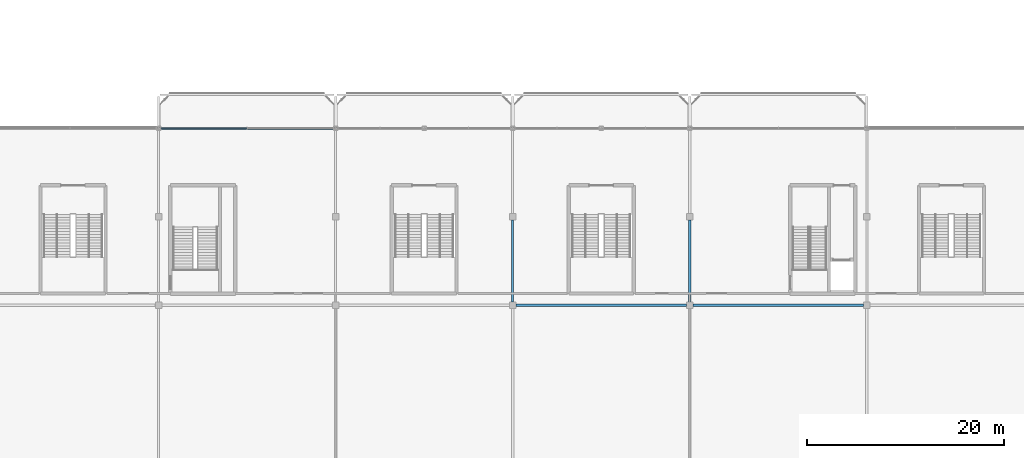
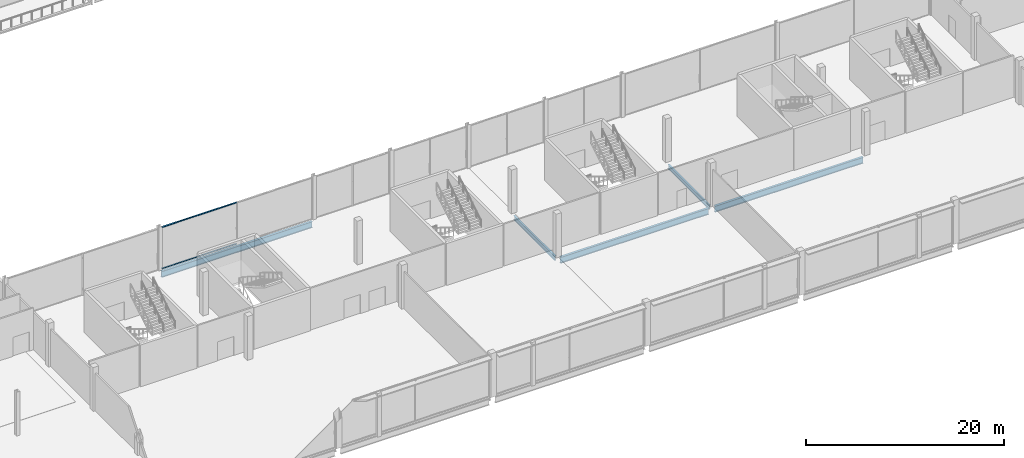
# One storey, part 23 of 113: 5 beams, 2 members, 1 element without a shape of its own.
"""IFC4 building model written with IfcOpenShell, lengths in metres."""

from ifc_helpers import new_model, si_unit, direction, frame, origin, origin_2d, place, context, subcontext, project, spatial, rectangle, i_section, extrude, material, layer, layer_set, material_profile, profile_set, type_object, element, aggregate, save


model = new_model("IFC4")

# Units and contexts
model_context = context("Model", 3, precision=1e-05, world=origin(), true_north=direction((0.0, 1.0)))
body_context = subcontext(model_context, "Body", "Model", "MODEL_VIEW")
ifc_project = project(units=[si_unit("LENGTHUNIT", "METRE"), si_unit("AREAUNIT", "SQUARE_METRE"), si_unit("VOLUMEUNIT", "CUBIC_METRE"), si_unit("PLANEANGLEUNIT", "RADIAN"), si_unit("MASSUNIT", "GRAM", prefix="KILO")], contexts=[model_context])

# Site, building, storey
site_placement = place(None, origin())
site = spatial("IfcSite", under=ifc_project, at=site_placement, CompositionType="ELEMENT")
building_placement = place(site_placement, origin())
building = spatial("IfcBuilding", under=site, at=building_placement, Name="Kisiwana Market Hall", CompositionType="ELEMENT")
storey_placement = place(building_placement, frame((0.0, 0.0, 6.0)))
storey = spatial("IfcBuildingStorey", under=building, at=storey_placement, Name="L01", CompositionType="ELEMENT", Elevation=6.0)

# Beams
ifc_material_1 = material(Name="Steel S355", Category="steel")
ifc_material_profile_1 = material_profile(ifc_material_1, i_section(OverallWidth=0.209228515625, OverallDepth=0.533203125, WebThickness=0.010009765625, FlangeThickness=0.015625, at=origin_2d()), Name="UB 533x210x92")
ifc_profile_set_1 = profile_set([ifc_material_profile_1], Name="Steel S355")
beam_type_1 = type_object("IfcBeamType", Name="BM-GIRD-UB533", PredefinedType="BEAM", material=ifc_profile_set_1)
for number, where, z_axis, x_axis, name in (
    (1, (99.0, 18.345947265625, -0.5166015625), (0.0, 1.0, 0.0), (-1.0, 0.0, 0.0), "Primary girder B-0374"),
    (2, (117.0, 18.345947265625, -0.5166015625), (0.0, 1.0, 0.0), (-1.0, 0.0, 0.0), "Primary girder B-0380"),
):
    element("IfcBeam", number, at=place(storey_placement, frame(where, z_axis=z_axis, x_axis=x_axis)), inside=storey, type_object=beam_type_1, Name=name, PredefinedType="BEAM", context=body_context, shape_type="SweptSolid", body=[
        extrude(i_section(OverallWidth=0.209228515625, OverallDepth=0.533203125, WebThickness=0.010009765625, FlangeThickness=0.015625, at=origin_2d()), origin(), (0.0, 0.0, 1.0), 8.30810546875),
    ])
ifc_material_2 = material(Name="Steel S355", Category="steel")
ifc_material_profile_2 = material_profile(ifc_material_2, i_section(OverallWidth=0.2666015625, OverallDepth=0.76220703125, WebThickness=0.014404296875, FlangeThickness=0.021484375, at=origin_2d()), Name="UB 762x267x173")
ifc_profile_set_2 = profile_set([ifc_material_profile_2], Name="Steel S355")
beam_type_2 = type_object("IfcBeamType", Name="BM-GIRD-UB762", PredefinedType="BEAM", material=ifc_profile_set_2)
for number, where, z_axis, x_axis, name in (
    (3, (99.345947265625, 18.0, -0.631103515625), (1.0, 0.0, 0.0), (0.0, 1.0, 0.0), "Floor beam B-0478"),
    (4, (117.345947265625, 18.0, -0.631103515625), (1.0, 0.0, 0.0), (0.0, 1.0, 0.0), "Floor beam B-0479"),
):
    element("IfcBeam", number, at=place(storey_placement, frame(where, z_axis=z_axis, x_axis=x_axis)), inside=storey, type_object=beam_type_2, Name=name, PredefinedType="BEAM", context=body_context, shape_type="SweptSolid", body=[
        extrude(i_section(OverallWidth=0.2666015625, OverallDepth=0.76220703125, WebThickness=0.014404296875, FlangeThickness=0.021484375, at=origin_2d()), origin(), (0.0, 0.0, 1.0), 17.30810546875),
    ])
beam_placement = place(storey_placement, frame((63.201904296875, 36.0, -0.631103515625), z_axis=(1.0, 0.0, 0.0), x_axis=(0.0, 1.0, 0.0)))
element("IfcBeam", 5, at=beam_placement, inside=storey, type_object=beam_type_2, Name="Floor beam B-0490", PredefinedType="BEAM", context=body_context, shape_type="SweptSolid", body=[
    extrude(i_section(OverallWidth=0.2666015625, OverallDepth=0.76220703125, WebThickness=0.014404296875, FlangeThickness=0.021484375, at=origin_2d()), origin(), (0.0, 0.0, 1.0), 17.59619140625),
])

# Curtain wall, members
ifc_material_3 = material(Name="Double-glazed solar-control low-E IGU", Category="glass")
ifc_layer = layer(ifc_material_3, 0.159912109375)
ifc_layer_set = layer_set([ifc_layer], Name="CW-FC-N-8100")
curtain_wall_type = type_object("IfcCurtainWallType", Name="CW-FC-N-8100", PredefinedType="USERDEFINED", material=ifc_layer_set)
curtain_wall_placement = place(storey_placement, origin())
curtain_wall = element("IfcCurtainWall", 6, at=curtain_wall_placement, inside=storey, type_object=curtain_wall_type, Name="Unitised curtain wall CW-018 (L01)", ObjectType="UNITISED CURTAIN WALL", PredefinedType="USERDEFINED")
ifc_material_4 = material(Name="Aluminium alloy 6063-T6", Category="aluminium")
ifc_material_profile_3 = material_profile(ifc_material_4, rectangle(XDim=0.1201171875, YDim=0.06005859375, at=origin_2d()), Name="ALU TRANSOM 60x120")
ifc_profile_set_3 = profile_set([ifc_material_profile_3], Name="Aluminium alloy 6063-T6")
member_type = type_object("IfcMemberType", Name="CW-TRAN-60x120", PredefinedType="USERDEFINED", material=ifc_profile_set_3)
member_1_placement = place(storey_placement, frame((63.26611328125, 36.0, 0.030029296875), z_axis=(1.0, 0.0, 0.0), x_axis=(0.0, 1.0, 0.0)))
member_1 = element("IfcMember", 7, at=member_1_placement, type_object=member_type, Name="CW-018 transom 1.1", ObjectType="TRANSOM", PredefinedType="USERDEFINED", context=body_context, shape_type="SweptSolid", body=[
    extrude(rectangle(XDim=0.1201171875, YDim=0.06005859375, at=origin_2d()), origin(), (0.0, 0.0, 1.0), 8.703857421875),
])
member_2_placement = place(storey_placement, frame((63.26611328125, 36.0, 5.1201171875), z_axis=(1.0, 0.0, 0.0), x_axis=(0.0, 1.0, 0.0)))
member_2 = element("IfcMember", 8, at=member_2_placement, type_object=member_type, Name="CW-018 transom 1.2", ObjectType="TRANSOM", PredefinedType="USERDEFINED", context=body_context, shape_type="SweptSolid", body=[
    extrude(rectangle(XDim=0.1201171875, YDim=0.06005859375, at=origin_2d()), origin(), (0.0, 0.0, 1.0), 8.703857421875),
])
aggregate(curtain_wall, [member_1, member_2])

save(model, "model.ifc")
